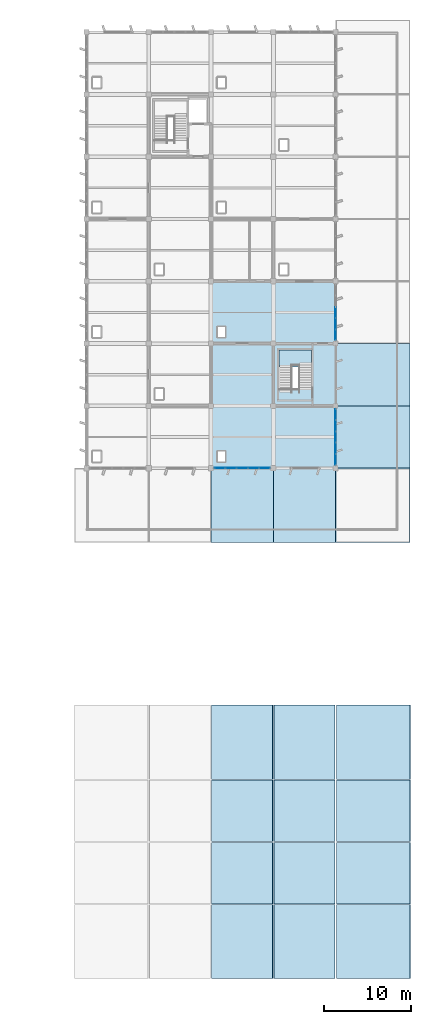
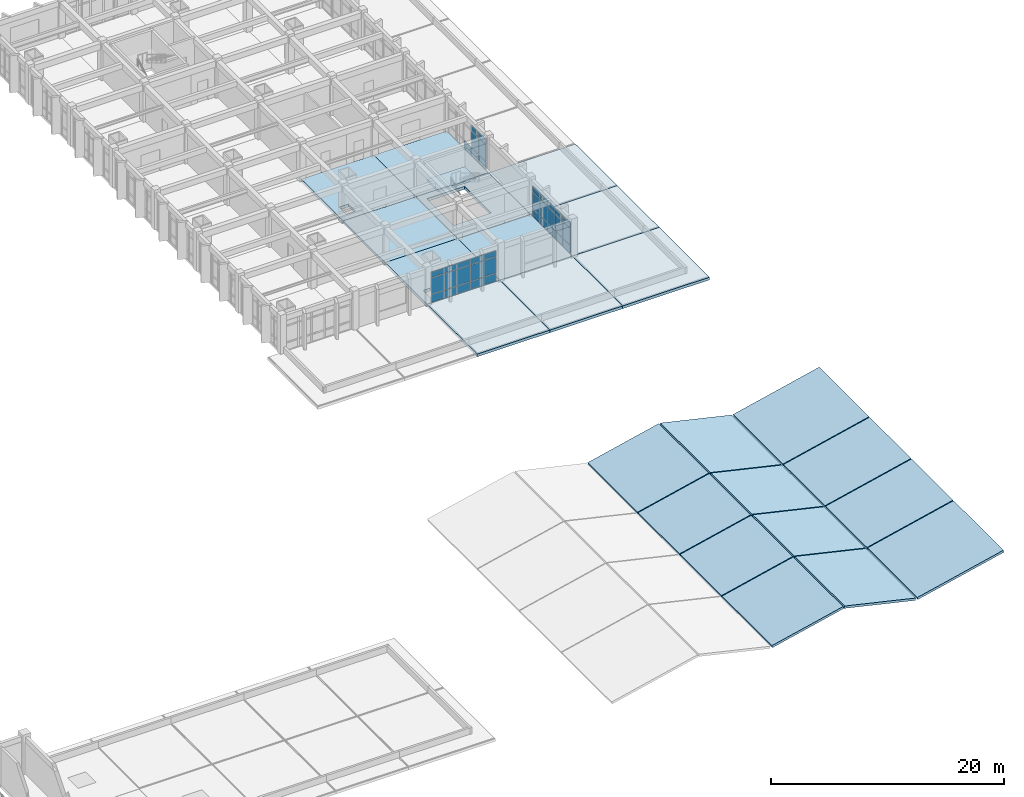
# One storey, part 42 of 62: 37 plates, 24 slabs, 4 elements without a shape of their own.
"""IFC4 building model written with IfcOpenShell, lengths in metres."""

from ifc_helpers import new_model, si_unit, direction, frame, origin, origin_2d, place, context, subcontext, project, spatial, polyline, rectangle, outline, extrude, material, layer, layer_set, type_object, element, aggregate, save


model = new_model("IFC4")

# Units and contexts
model_context = context("Model", 3, precision=1e-05, world=origin(), true_north=direction((0.0, 1.0)))
body_context = subcontext(model_context, "Body", "Model", "MODEL_VIEW")
ifc_project = project(units=[si_unit("LENGTHUNIT", "METRE"), si_unit("AREAUNIT", "SQUARE_METRE"), si_unit("VOLUMEUNIT", "CUBIC_METRE"), si_unit("PLANEANGLEUNIT", "RADIAN"), si_unit("MASSUNIT", "GRAM", prefix="KILO")], contexts=[model_context])

# Site, building, storey
site_placement = place(None, origin())
site = spatial("IfcSite", under=ifc_project, at=site_placement, CompositionType="ELEMENT")
building_placement = place(site_placement, origin())
building = spatial("IfcBuilding", under=site, at=building_placement, Name="Kavelor Marine Aquarium", CompositionType="ELEMENT")
storey_placement = place(building_placement, frame((0.0, 0.0, 13.5)))
storey = spatial("IfcBuildingStorey", under=building, at=storey_placement, Name="L03", CompositionType="ELEMENT", Elevation=13.5)

# Curtain wall, plates
ifc_material_1 = material(Name="Thermally Broken Aluminium and Low-E Glass", Category="aluminium")
ifc_layer_1 = layer(ifc_material_1, 0.2119140625)
ifc_layer_set_1 = layer_set([ifc_layer_1], Name="CW-SYS9")
curtain_wall_type_1 = type_object("IfcCurtainWallType", Name="CW-SYS9", PredefinedType="USERDEFINED", material=ifc_layer_set_1)
curtain_wall_1_placement = place(storey_placement, origin())
curtain_wall_1 = element("IfcCurtainWall", 1, at=curtain_wall_1_placement, inside=storey, type_object=curtain_wall_type_1, Name="cw:y:L03:20_08", ObjectType="Curtain Wall", PredefinedType="USERDEFINED")
ifc_material_2 = material(Name="Solar-Control Double Low-E Glazing", Category="glass")
ifc_layer_2 = layer(ifc_material_2, 0.0419921875)
ifc_layer_set_2 = layer_set([ifc_layer_2], Name="CWP-09")
plate_type_1 = type_object("IfcPlateType", Name="CWP-09", PredefinedType="CURTAIN_PANEL", material=ifc_layer_set_2)
plate_1_placement = place(storey_placement, frame((147.199951171875, 61.410888671875, 0.06494140625), z_axis=(0.0, 0.0, 1.0), x_axis=(0.0, 1.0, 0.0)))
plate_1 = element("IfcPlate", 2, at=plate_1_placement, type_object=plate_type_1, Name="CW09 panel 1.1", PredefinedType="CURTAIN_PANEL", context=body_context, shape_type="SweptSolid", body=[
    extrude(rectangle(XDim=1.2119140625, YDim=0.0419921875, at=origin_2d()), origin(), (0.0, 0.0, 1.0), 0.802490234375),
])
plate_2_placement = place(storey_placement, frame((147.199951171875, 61.410888671875, 0.932373046875), z_axis=(0.0, 0.0, 1.0), x_axis=(0.0, 1.0, 0.0)))
plate_2 = element("IfcPlate", 3, at=plate_2_placement, type_object=plate_type_1, Name="CW09 panel 1.2", PredefinedType="CURTAIN_PANEL", context=body_context, shape_type="SweptSolid", body=[
    extrude(rectangle(XDim=1.2119140625, YDim=0.0419921875, at=origin_2d()), origin(), (0.0, 0.0, 1.0), 1.68505859375),
])
plate_3_placement = place(storey_placement, frame((147.199951171875, 61.410888671875, 2.6826171875), z_axis=(0.0, 0.0, 1.0), x_axis=(0.0, 1.0, 0.0)))
plate_3 = element("IfcPlate", 4, at=plate_3_placement, type_object=plate_type_1, Name="CW09 panel 1.3", PredefinedType="CURTAIN_PANEL", context=body_context, shape_type="SweptSolid", body=[
    extrude(rectangle(XDim=1.2119140625, YDim=0.0419921875, at=origin_2d()), origin(), (0.0, 0.0, 1.0), 0.552490234375),
])
plate_4_placement = place(storey_placement, frame((147.199951171875, 62.697998046875, 0.06494140625), z_axis=(0.0, 0.0, 1.0), x_axis=(0.0, 1.0, 0.0)))
plate_4 = element("IfcPlate", 5, at=plate_4_placement, type_object=plate_type_1, Name="CW09 panel 2.1", PredefinedType="CURTAIN_PANEL", context=body_context, shape_type="SweptSolid", body=[
    extrude(rectangle(XDim=1.241943359375, YDim=0.0419921875, at=origin_2d()), origin(), (0.0, 0.0, 1.0), 0.802490234375),
])
plate_5_placement = place(storey_placement, frame((147.199951171875, 62.697998046875, 0.932373046875), z_axis=(0.0, 0.0, 1.0), x_axis=(0.0, 1.0, 0.0)))
plate_5 = element("IfcPlate", 6, at=plate_5_placement, type_object=plate_type_1, Name="CW09 panel 2.2", PredefinedType="CURTAIN_PANEL", context=body_context, shape_type="SweptSolid", body=[
    extrude(rectangle(XDim=1.241943359375, YDim=0.0419921875, at=origin_2d()), origin(), (0.0, 0.0, 1.0), 1.68505859375),
])
plate_6_placement = place(storey_placement, frame((147.199951171875, 62.697998046875, 2.6826171875), z_axis=(0.0, 0.0, 1.0), x_axis=(0.0, 1.0, 0.0)))
plate_6 = element("IfcPlate", 7, at=plate_6_placement, type_object=plate_type_1, Name="CW09 panel 2.3", PredefinedType="CURTAIN_PANEL", context=body_context, shape_type="SweptSolid", body=[
    extrude(rectangle(XDim=1.241943359375, YDim=0.0419921875, at=origin_2d()), origin(), (0.0, 0.0, 1.0), 0.552490234375),
])
plate_7_placement = place(storey_placement, frame((147.199951171875, 64.0, 0.06494140625), z_axis=(0.0, 0.0, 1.0), x_axis=(0.0, 1.0, 0.0)))
plate_7 = element("IfcPlate", 8, at=plate_7_placement, type_object=plate_type_1, Name="CW09 panel 3.1", PredefinedType="CURTAIN_PANEL", context=body_context, shape_type="SweptSolid", body=[
    extrude(rectangle(XDim=1.241943359375, YDim=0.0419921875, at=origin_2d()), origin(), (0.0, 0.0, 1.0), 0.802490234375),
])
plate_8_placement = place(storey_placement, frame((147.199951171875, 64.0, 0.932373046875), z_axis=(0.0, 0.0, 1.0), x_axis=(0.0, 1.0, 0.0)))
plate_8 = element("IfcPlate", 9, at=plate_8_placement, type_object=plate_type_1, Name="CW09 panel 3.2", PredefinedType="CURTAIN_PANEL", context=body_context, shape_type="SweptSolid", body=[
    extrude(rectangle(XDim=1.241943359375, YDim=0.0419921875, at=origin_2d()), origin(), (0.0, 0.0, 1.0), 1.68505859375),
])
plate_9_placement = place(storey_placement, frame((147.199951171875, 64.0, 2.6826171875), z_axis=(0.0, 0.0, 1.0), x_axis=(0.0, 1.0, 0.0)))
plate_9 = element("IfcPlate", 10, at=plate_9_placement, type_object=plate_type_1, Name="CW09 panel 3.3", PredefinedType="CURTAIN_PANEL", context=body_context, shape_type="SweptSolid", body=[
    extrude(rectangle(XDim=1.241943359375, YDim=0.0419921875, at=origin_2d()), origin(), (0.0, 0.0, 1.0), 0.552490234375),
])
plate_10_placement = place(storey_placement, frame((147.199951171875, 65.302001953125, 0.06494140625), z_axis=(0.0, 0.0, 1.0), x_axis=(0.0, 1.0, 0.0)))
plate_10 = element("IfcPlate", 11, at=plate_10_placement, type_object=plate_type_1, Name="CW09 panel 4.1", PredefinedType="CURTAIN_PANEL", context=body_context, shape_type="SweptSolid", body=[
    extrude(rectangle(XDim=1.241943359375, YDim=0.0419921875, at=origin_2d()), origin(), (0.0, 0.0, 1.0), 0.802490234375),
])
plate_11_placement = place(storey_placement, frame((147.199951171875, 65.302001953125, 0.932373046875), z_axis=(0.0, 0.0, 1.0), x_axis=(0.0, 1.0, 0.0)))
plate_11 = element("IfcPlate", 12, at=plate_11_placement, type_object=plate_type_1, Name="CW09 panel 4.2", PredefinedType="CURTAIN_PANEL", context=body_context, shape_type="SweptSolid", body=[
    extrude(rectangle(XDim=1.241943359375, YDim=0.0419921875, at=origin_2d()), origin(), (0.0, 0.0, 1.0), 1.68505859375),
])
plate_12_placement = place(storey_placement, frame((147.199951171875, 65.302001953125, 2.6826171875), z_axis=(0.0, 0.0, 1.0), x_axis=(0.0, 1.0, 0.0)))
plate_12 = element("IfcPlate", 13, at=plate_12_placement, type_object=plate_type_1, Name="CW09 panel 4.3", PredefinedType="CURTAIN_PANEL", context=body_context, shape_type="SweptSolid", body=[
    extrude(rectangle(XDim=1.241943359375, YDim=0.0419921875, at=origin_2d()), origin(), (0.0, 0.0, 1.0), 0.552490234375),
])
plate_13_placement = place(storey_placement, frame((147.199951171875, 66.589111328125, 0.06494140625), z_axis=(0.0, 0.0, 1.0), x_axis=(0.0, 1.0, 0.0)))
plate_13 = element("IfcPlate", 14, at=plate_13_placement, type_object=plate_type_1, Name="CW09 panel 5.1", PredefinedType="CURTAIN_PANEL", context=body_context, shape_type="SweptSolid", body=[
    extrude(rectangle(XDim=1.2119140625, YDim=0.0419921875, at=origin_2d()), origin(), (0.0, 0.0, 1.0), 0.802490234375),
])
plate_14_placement = place(storey_placement, frame((147.199951171875, 66.589111328125, 0.932373046875), z_axis=(0.0, 0.0, 1.0), x_axis=(0.0, 1.0, 0.0)))
plate_14 = element("IfcPlate", 15, at=plate_14_placement, type_object=plate_type_1, Name="CW09 panel 5.2", PredefinedType="CURTAIN_PANEL", context=body_context, shape_type="SweptSolid", body=[
    extrude(rectangle(XDim=1.2119140625, YDim=0.0419921875, at=origin_2d()), origin(), (0.0, 0.0, 1.0), 1.68505859375),
])
plate_15_placement = place(storey_placement, frame((147.199951171875, 66.589111328125, 2.6826171875), z_axis=(0.0, 0.0, 1.0), x_axis=(0.0, 1.0, 0.0)))
plate_15 = element("IfcPlate", 16, at=plate_15_placement, type_object=plate_type_1, Name="CW09 panel 5.3", PredefinedType="CURTAIN_PANEL", context=body_context, shape_type="SweptSolid", body=[
    extrude(rectangle(XDim=1.2119140625, YDim=0.0419921875, at=origin_2d()), origin(), (0.0, 0.0, 1.0), 0.552490234375),
])
aggregate(curtain_wall_1, [plate_1, plate_2, plate_3, plate_4, plate_5, plate_6, plate_7, plate_8, plate_9, plate_10, plate_11, plate_12, plate_13, plate_14, plate_15])

ifc_material_3 = material(Name="Thermally Broken Aluminium and Low-E Glass", Category="aluminium")
ifc_layer_3 = layer(ifc_material_3, 0.219970703125)
ifc_layer_set_3 = layer_set([ifc_layer_3], Name="CW-SYS10")
curtain_wall_type_2 = type_object("IfcCurtainWallType", Name="CW-SYS10", PredefinedType="USERDEFINED", material=ifc_layer_set_3)
curtain_wall_2_placement = place(storey_placement, origin())
curtain_wall_2 = element("IfcCurtainWall", 17, at=curtain_wall_2_placement, inside=storey, type_object=curtain_wall_type_2, Name="cw:y:L03:20_10", ObjectType="Curtain Wall", PredefinedType="USERDEFINED")
ifc_material_4 = material(Name="Solar-Control Double Low-E Glazing", Category="glass")
ifc_layer_4 = layer(ifc_material_4, 0.0439453125)
ifc_layer_set_4 = layer_set([ifc_layer_4], Name="CWP-10")
plate_type_2 = type_object("IfcPlateType", Name="CWP-10", PredefinedType="CURTAIN_PANEL", material=ifc_layer_set_4)
plate_16_placement = place(storey_placement, frame((147.199951171875, 75.814697265625, 0.06005859375), z_axis=(0.0, 0.0, 1.0), x_axis=(0.0, 1.0, 0.0)))
plate_16 = element("IfcPlate", 18, at=plate_16_placement, type_object=plate_type_2, Name="CW10 panel 1.1", PredefinedType="CURTAIN_PANEL", context=body_context, shape_type="SweptSolid", body=[
    extrude(rectangle(XDim=1.189453125, YDim=0.0439453125, at=origin_2d()), origin(), (0.0, 0.0, 1.0), 0.81005859375),
])
plate_17_placement = place(storey_placement, frame((147.199951171875, 75.814697265625, 0.929931640625), z_axis=(0.0, 0.0, 1.0), x_axis=(0.0, 1.0, 0.0)))
plate_17 = element("IfcPlate", 19, at=plate_17_placement, type_object=plate_type_2, Name="CW10 panel 1.2", PredefinedType="CURTAIN_PANEL", context=body_context, shape_type="SweptSolid", body=[
    extrude(rectangle(XDim=1.189453125, YDim=0.0439453125, at=origin_2d()), origin(), (0.0, 0.0, 1.0), 1.7099609375),
])
plate_18_placement = place(storey_placement, frame((147.199951171875, 75.814697265625, 2.699951171875), z_axis=(0.0, 0.0, 1.0), x_axis=(0.0, 1.0, 0.0)))
plate_18 = element("IfcPlate", 20, at=plate_18_placement, type_object=plate_type_2, Name="CW10 panel 1.3", PredefinedType="CURTAIN_PANEL", context=body_context, shape_type="SweptSolid", body=[
    extrude(rectangle(XDim=1.189453125, YDim=0.0439453125, at=origin_2d()), origin(), (0.0, 0.0, 1.0), 0.56005859375),
])
plate_19_placement = place(storey_placement, frame((147.199951171875, 77.097900390625, 0.06005859375), z_axis=(0.0, 0.0, 1.0), x_axis=(0.0, 1.0, 0.0)))
plate_19 = element("IfcPlate", 21, at=plate_19_placement, type_object=plate_type_2, Name="CW10 panel 2.1", PredefinedType="CURTAIN_PANEL", context=body_context, shape_type="SweptSolid", body=[
    extrude(rectangle(XDim=1.22705078125, YDim=0.0439453125, at=origin_2d()), origin(), (0.0, 0.0, 1.0), 0.81005859375),
])
plate_20_placement = place(storey_placement, frame((147.199951171875, 77.097900390625, 0.929931640625), z_axis=(0.0, 0.0, 1.0), x_axis=(0.0, 1.0, 0.0)))
plate_20 = element("IfcPlate", 22, at=plate_20_placement, type_object=plate_type_2, Name="CW10 panel 2.2", PredefinedType="CURTAIN_PANEL", context=body_context, shape_type="SweptSolid", body=[
    extrude(rectangle(XDim=1.22705078125, YDim=0.0439453125, at=origin_2d()), origin(), (0.0, 0.0, 1.0), 1.7099609375),
])
plate_21_placement = place(storey_placement, frame((147.199951171875, 77.097900390625, 2.699951171875), z_axis=(0.0, 0.0, 1.0), x_axis=(0.0, 1.0, 0.0)))
plate_21 = element("IfcPlate", 23, at=plate_21_placement, type_object=plate_type_2, Name="CW10 panel 2.3", PredefinedType="CURTAIN_PANEL", context=body_context, shape_type="SweptSolid", body=[
    extrude(rectangle(XDim=1.22705078125, YDim=0.0439453125, at=origin_2d()), origin(), (0.0, 0.0, 1.0), 0.56005859375),
])
plate_22_placement = place(storey_placement, frame((147.199951171875, 78.39990234375, 0.06005859375), z_axis=(0.0, 0.0, 1.0), x_axis=(0.0, 1.0, 0.0)))
plate_22 = element("IfcPlate", 24, at=plate_22_placement, type_object=plate_type_2, Name="CW10 panel 3.1", PredefinedType="CURTAIN_PANEL", context=body_context, shape_type="SweptSolid", body=[
    extrude(rectangle(XDim=1.22705078125, YDim=0.0439453125, at=origin_2d()), origin(), (0.0, 0.0, 1.0), 0.81005859375),
])
aggregate(curtain_wall_2, [plate_16, plate_17, plate_18, plate_19, plate_20, plate_21, plate_22])

curtain_wall_3_placement = place(storey_placement, origin())
curtain_wall_3 = element("IfcCurtainWall", 25, at=curtain_wall_3_placement, inside=storey, type_object=curtain_wall_type_1, Name="cw:x:L03:18_08", ObjectType="Curtain Wall", PredefinedType="USERDEFINED")
ifc_material_5 = material(Name="Solar-Control Double Low-E Glazing", Category="glass")
ifc_layer_5 = layer(ifc_material_5, 0.06591796875)
ifc_layer_set_5 = layer_set([ifc_layer_5], Name="CWP-21")
plate_type_3 = type_object("IfcPlateType", Name="CWP-21", PredefinedType="CURTAIN_PANEL", material=ifc_layer_set_5)
plate_23_placement = place(storey_placement, frame((138.989013671875, 60.39990234375, 0.06494140625), z_axis=(0.0, 0.0, 1.0), x_axis=(-1.0, 0.0, 0.0)))
plate_23 = element("IfcPlate", 26, at=plate_23_placement, type_object=plate_type_3, Name="CW09 panel 1.1", PredefinedType="CURTAIN_PANEL", context=body_context, shape_type="SweptSolid", body=[
    extrude(rectangle(XDim=1.2119140625, YDim=0.06591796875, at=origin_2d()), origin(), (0.0, 0.0, 1.0), 0.802490234375),
])
plate_24_placement = place(storey_placement, frame((138.989013671875, 60.39990234375, 0.932373046875), z_axis=(0.0, 0.0, 1.0), x_axis=(-1.0, 0.0, 0.0)))
plate_24 = element("IfcPlate", 27, at=plate_24_placement, type_object=plate_type_3, Name="CW09 panel 1.2", PredefinedType="CURTAIN_PANEL", context=body_context, shape_type="SweptSolid", body=[
    extrude(rectangle(XDim=1.2119140625, YDim=0.06591796875, at=origin_2d()), origin(), (0.0, 0.0, 1.0), 1.68505859375),
])
plate_25_placement = place(storey_placement, frame((138.989013671875, 60.39990234375, 2.6826171875), z_axis=(0.0, 0.0, 1.0), x_axis=(-1.0, 0.0, 0.0)))
plate_25 = element("IfcPlate", 28, at=plate_25_placement, type_object=plate_type_3, Name="CW09 panel 1.3", PredefinedType="CURTAIN_PANEL", context=body_context, shape_type="SweptSolid", body=[
    extrude(rectangle(XDim=1.2119140625, YDim=0.06591796875, at=origin_2d()), origin(), (0.0, 0.0, 1.0), 0.552490234375),
])
plate_26_placement = place(storey_placement, frame((137.701904296875, 60.39990234375, 0.06494140625), z_axis=(0.0, 0.0, 1.0), x_axis=(-1.0, 0.0, 0.0)))
plate_26 = element("IfcPlate", 29, at=plate_26_placement, type_object=plate_type_3, Name="CW09 panel 2.1", PredefinedType="CURTAIN_PANEL", context=body_context, shape_type="SweptSolid", body=[
    extrude(rectangle(XDim=1.241943359375, YDim=0.06591796875, at=origin_2d()), origin(), (0.0, 0.0, 1.0), 0.802490234375),
])
plate_27_placement = place(storey_placement, frame((137.701904296875, 60.39990234375, 0.932373046875), z_axis=(0.0, 0.0, 1.0), x_axis=(-1.0, 0.0, 0.0)))
plate_27 = element("IfcPlate", 30, at=plate_27_placement, type_object=plate_type_3, Name="CW09 panel 2.2", PredefinedType="CURTAIN_PANEL", context=body_context, shape_type="SweptSolid", body=[
    extrude(rectangle(XDim=1.241943359375, YDim=0.06591796875, at=origin_2d()), origin(), (0.0, 0.0, 1.0), 1.68505859375),
])
plate_28_placement = place(storey_placement, frame((137.701904296875, 60.39990234375, 2.6826171875), z_axis=(0.0, 0.0, 1.0), x_axis=(-1.0, 0.0, 0.0)))
plate_28 = element("IfcPlate", 31, at=plate_28_placement, type_object=plate_type_3, Name="CW09 panel 2.3", PredefinedType="CURTAIN_PANEL", context=body_context, shape_type="SweptSolid", body=[
    extrude(rectangle(XDim=1.241943359375, YDim=0.06591796875, at=origin_2d()), origin(), (0.0, 0.0, 1.0), 0.552490234375),
])
plate_29_placement = place(storey_placement, frame((136.39990234375, 60.39990234375, 0.06494140625), z_axis=(0.0, 0.0, 1.0), x_axis=(-1.0, 0.0, 0.0)))
plate_29 = element("IfcPlate", 32, at=plate_29_placement, type_object=plate_type_3, Name="CW09 panel 3.1", PredefinedType="CURTAIN_PANEL", context=body_context, shape_type="SweptSolid", body=[
    extrude(rectangle(XDim=1.241943359375, YDim=0.06591796875, at=origin_2d()), origin(), (0.0, 0.0, 1.0), 0.802490234375),
])
plate_30_placement = place(storey_placement, frame((136.39990234375, 60.39990234375, 0.932373046875), z_axis=(0.0, 0.0, 1.0), x_axis=(-1.0, 0.0, 0.0)))
plate_30 = element("IfcPlate", 33, at=plate_30_placement, type_object=plate_type_3, Name="CW09 panel 3.2", PredefinedType="CURTAIN_PANEL", context=body_context, shape_type="SweptSolid", body=[
    extrude(rectangle(XDim=1.241943359375, YDim=0.06591796875, at=origin_2d()), origin(), (0.0, 0.0, 1.0), 1.68505859375),
])
plate_31_placement = place(storey_placement, frame((136.39990234375, 60.39990234375, 2.6826171875), z_axis=(0.0, 0.0, 1.0), x_axis=(-1.0, 0.0, 0.0)))
plate_31 = element("IfcPlate", 34, at=plate_31_placement, type_object=plate_type_3, Name="CW09 panel 3.3", PredefinedType="CURTAIN_PANEL", context=body_context, shape_type="SweptSolid", body=[
    extrude(rectangle(XDim=1.241943359375, YDim=0.06591796875, at=origin_2d()), origin(), (0.0, 0.0, 1.0), 0.552490234375),
])
plate_32_placement = place(storey_placement, frame((135.097900390625, 60.39990234375, 0.06494140625), z_axis=(0.0, 0.0, 1.0), x_axis=(-1.0, 0.0, 0.0)))
plate_32 = element("IfcPlate", 35, at=plate_32_placement, type_object=plate_type_3, Name="CW09 panel 4.1", PredefinedType="CURTAIN_PANEL", context=body_context, shape_type="SweptSolid", body=[
    extrude(rectangle(XDim=1.241943359375, YDim=0.06591796875, at=origin_2d()), origin(), (0.0, 0.0, 1.0), 0.802490234375),
])
plate_33_placement = place(storey_placement, frame((135.097900390625, 60.39990234375, 0.932373046875), z_axis=(0.0, 0.0, 1.0), x_axis=(-1.0, 0.0, 0.0)))
plate_33 = element("IfcPlate", 36, at=plate_33_placement, type_object=plate_type_3, Name="CW09 panel 4.2", PredefinedType="CURTAIN_PANEL", context=body_context, shape_type="SweptSolid", body=[
    extrude(rectangle(XDim=1.241943359375, YDim=0.06591796875, at=origin_2d()), origin(), (0.0, 0.0, 1.0), 1.68505859375),
])
plate_34_placement = place(storey_placement, frame((135.097900390625, 60.39990234375, 2.6826171875), z_axis=(0.0, 0.0, 1.0), x_axis=(-1.0, 0.0, 0.0)))
plate_34 = element("IfcPlate", 37, at=plate_34_placement, type_object=plate_type_3, Name="CW09 panel 4.3", PredefinedType="CURTAIN_PANEL", context=body_context, shape_type="SweptSolid", body=[
    extrude(rectangle(XDim=1.241943359375, YDim=0.06591796875, at=origin_2d()), origin(), (0.0, 0.0, 1.0), 0.552490234375),
])
plate_35_placement = place(storey_placement, frame((133.81103515625, 60.39990234375, 0.06494140625), z_axis=(0.0, 0.0, 1.0), x_axis=(-1.0, 0.0, 0.0)))
plate_35 = element("IfcPlate", 38, at=plate_35_placement, type_object=plate_type_3, Name="CW09 panel 5.1", PredefinedType="CURTAIN_PANEL", context=body_context, shape_type="SweptSolid", body=[
    extrude(rectangle(XDim=1.2119140625, YDim=0.06591796875, at=origin_2d()), origin(), (0.0, 0.0, 1.0), 0.802490234375),
])
plate_36_placement = place(storey_placement, frame((133.81103515625, 60.39990234375, 0.932373046875), z_axis=(0.0, 0.0, 1.0), x_axis=(-1.0, 0.0, 0.0)))
plate_36 = element("IfcPlate", 39, at=plate_36_placement, type_object=plate_type_3, Name="CW09 panel 5.2", PredefinedType="CURTAIN_PANEL", context=body_context, shape_type="SweptSolid", body=[
    extrude(rectangle(XDim=1.2119140625, YDim=0.06591796875, at=origin_2d()), origin(), (0.0, 0.0, 1.0), 1.68505859375),
])
plate_37_placement = place(storey_placement, frame((133.81103515625, 60.39990234375, 2.6826171875), z_axis=(0.0, 0.0, 1.0), x_axis=(-1.0, 0.0, 0.0)))
plate_37 = element("IfcPlate", 40, at=plate_37_placement, type_object=plate_type_3, Name="CW09 panel 5.3", PredefinedType="CURTAIN_PANEL", context=body_context, shape_type="SweptSolid", body=[
    extrude(rectangle(XDim=1.2119140625, YDim=0.06591796875, at=origin_2d()), origin(), (0.0, 0.0, 1.0), 0.552490234375),
])
aggregate(curtain_wall_3, [plate_23, plate_24, plate_25, plate_26, plate_27, plate_28, plate_29, plate_30, plate_31, plate_32, plate_33, plate_34, plate_35, plate_36, plate_37])

# Stair, slab
ifc_material_6 = material(Name="Concrete C40/50", Category="concrete")
stair_type = type_object("IfcStairType", Name="ST-T4", PredefinedType="HALF_TURN_STAIR", material=ifc_material_6)
stair_placement = place(storey_placement, origin())
stair = element("IfcStair", 41, at=stair_placement, inside=storey, type_object=stair_type, Name="Exit Stair ST11 (L03)", PredefinedType="HALF_TURN_STAIR")
ifc_material_7 = material(Name="Concrete C40/50", Category="concrete")
ifc_layer_6 = layer(ifc_material_7, 0.199951171875)
ifc_layer_set_6 = layer_set([ifc_layer_6], Name="LND-T4")
slab_type_1 = type_object("IfcSlabType", Name="LND-T4", PredefinedType="LANDING", material=ifc_layer_set_6)
slab_1_placement = place(storey_placement, frame((0.0, 0.0, 1.8701171875)))
slab_1 = element("IfcSlab", 42, at=slab_1_placement, type_object=slab_type_1, Name="ST11 landing 1", PredefinedType="LANDING", context=body_context, shape_type="SweptSolid", body=[
    extrude(outline(polyline([(140.659912109375, 72.114990234375), (144.419921875, 72.114990234375), (144.419921875, 74.06005859375), (140.659912109375, 74.06005859375), (140.659912109375, 72.114990234375)])), origin(), (0.0, 0.0, 1.0), 0.199951171875),
])
aggregate(stair, [slab_1])

# Slabs
ifc_material_8 = material(Name="Concrete C40/50", Category="concrete")
ifc_layer_7 = layer(ifc_material_8, 0.300048828125)
ifc_layer_set_7 = layer_set([ifc_layer_7], Name="SL-FL1")
slab_type_2 = type_object("IfcSlabType", Name="SL-FL1", PredefinedType="FLOOR", material=ifc_layer_set_7)
slab_2_placement = place(storey_placement, frame((0.0, 0.0, -0.300048828125)))
element("IfcSlab", 43, at=slab_2_placement, inside=storey, type_object=slab_type_2, Name="slab:L03:18_08", PredefinedType="FLOOR", context=body_context, shape_type="SweptSolid", body=[
    extrude(outline(polyline([(132.800048828125, 60.39990234375), (140.0, 60.39990234375), (140.0, 67.60009765625), (132.800048828125, 67.60009765625), (132.800048828125, 60.39990234375)]), holes=[polyline([(133.550048828125, 61.14990234375), (134.449951171875, 61.14990234375), (134.449951171875, 62.35009765625), (133.550048828125, 62.35009765625), (133.550048828125, 61.14990234375)])]), origin(), (0.0, 0.0, 1.0), 0.300048828125),
])
slab_3_placement = place(storey_placement, frame((0.0, 0.0, -0.300048828125)))
element("IfcSlab", 44, at=slab_3_placement, inside=storey, type_object=slab_type_2, Name="slab:L03:18_10", PredefinedType="FLOOR", context=body_context, shape_type="SweptSolid", body=[
    extrude(outline(polyline([(132.800048828125, 74.800048828125), (140.0, 74.800048828125), (140.0, 82.0), (132.800048828125, 82.0), (132.800048828125, 74.800048828125)]), holes=[polyline([(133.550048828125, 75.550048828125), (134.449951171875, 75.550048828125), (134.449951171875, 76.75), (133.550048828125, 76.75), (133.550048828125, 75.550048828125)])]), origin(), (0.0, 0.0, 1.0), 0.300048828125),
])
slab_4_placement = place(storey_placement, frame((0.0, 0.0, -0.300048828125)))
element("IfcSlab", 45, at=slab_4_placement, inside=storey, type_object=slab_type_2, Name="slab:L03:19_09", PredefinedType="FLOOR", context=body_context, shape_type="SweptSolid", body=[
    extrude(outline(polyline([(140.0, 67.60009765625), (147.199951171875, 67.60009765625), (147.199951171875, 74.800048828125), (140.0, 74.800048828125), (140.0, 67.60009765625)]), holes=[polyline([(140.679931640625, 69.48291015625), (144.39990234375, 69.48291015625), (144.39990234375, 74.070068359375), (140.679931640625, 74.070068359375), (140.679931640625, 69.48291015625)])]), origin(), (0.0, 0.0, 1.0), 0.300048828125),
])
ifc_material_9 = material(Name="Concrete C40/50", Category="concrete")
ifc_layer_8 = layer(ifc_material_9, 0.280029296875)
ifc_layer_set_8 = layer_set([ifc_layer_8], Name="SL-FL2")
slab_type_3 = type_object("IfcSlabType", Name="SL-FL2", PredefinedType="FLOOR", material=ifc_layer_set_8)
slab_5_placement = place(storey_placement, frame((0.0, 0.0, -0.280029296875)))
element("IfcSlab", 46, at=slab_5_placement, inside=storey, type_object=slab_type_3, Name="slab:L03:18_09", PredefinedType="FLOOR", context=body_context, shape_type="SweptSolid", body=[
    extrude(outline(polyline([(132.800048828125, 67.60009765625), (140.0, 67.60009765625), (140.0, 74.800048828125), (132.800048828125, 74.800048828125), (132.800048828125, 67.60009765625)])), origin(), (0.0, 0.0, 1.0), 0.280029296875),
])
slab_6_placement = place(storey_placement, frame((0.0, 0.0, -0.280029296875)))
element("IfcSlab", 47, at=slab_6_placement, inside=storey, type_object=slab_type_3, Name="slab:L03:19_08", PredefinedType="FLOOR", context=body_context, shape_type="SweptSolid", body=[
    extrude(outline(polyline([(140.0, 60.39990234375), (147.199951171875, 60.39990234375), (147.199951171875, 67.60009765625), (140.0, 67.60009765625), (140.0, 60.39990234375)])), origin(), (0.0, 0.0, 1.0), 0.280029296875),
])
slab_7_placement = place(storey_placement, frame((0.0, 0.0, -0.280029296875)))
element("IfcSlab", 48, at=slab_7_placement, inside=storey, type_object=slab_type_3, Name="slab:L03:19_10", PredefinedType="FLOOR", context=body_context, shape_type="SweptSolid", body=[
    extrude(outline(polyline([(140.0, 74.800048828125), (147.199951171875, 74.800048828125), (147.199951171875, 82.0), (140.0, 82.0), (140.0, 74.800048828125)])), origin(), (0.0, 0.0, 1.0), 0.280029296875),
])
ifc_material_10 = material(Name="Concrete C40/50", Category="concrete")
ifc_layer_9 = layer(ifc_material_10, 0.280029296875)
ifc_layer_set_9 = layer_set([ifc_layer_9], Name="SL-RF1")
slab_type_4 = type_object("IfcSlabType", Name="SL-RF1", PredefinedType="ROOF", material=ifc_layer_set_9)
slab_8_placement = place(storey_placement, frame((0.0, 0.0, -0.280029296875)))
element("IfcSlab", 49, at=slab_8_placement, inside=storey, type_object=slab_type_4, Name="roof:L03:18_07", PredefinedType="ROOF", context=body_context, shape_type="SweptSolid", body=[
    extrude(outline(polyline([(132.800048828125, 51.800048828125), (140.0, 51.800048828125), (140.0, 60.39990234375), (132.800048828125, 60.39990234375), (132.800048828125, 51.800048828125)])), origin(), (0.0, 0.0, 1.0), 0.280029296875),
])
slab_9_placement = place(storey_placement, frame((0.0, 0.0, -0.280029296875)))
element("IfcSlab", 50, at=slab_9_placement, inside=storey, type_object=slab_type_4, Name="roof:L03:19_07", PredefinedType="ROOF", context=body_context, shape_type="SweptSolid", body=[
    extrude(outline(polyline([(140.0, 51.800048828125), (147.199951171875, 51.800048828125), (147.199951171875, 60.39990234375), (140.0, 60.39990234375), (140.0, 51.800048828125)])), origin(), (0.0, 0.0, 1.0), 0.280029296875),
])
slab_10_placement = place(storey_placement, frame((0.0, 0.0, -0.280029296875)))
element("IfcSlab", 51, at=slab_10_placement, inside=storey, type_object=slab_type_4, Name="roof:L03:20_07", PredefinedType="ROOF", context=body_context, shape_type="SweptSolid", body=[
    extrude(outline(polyline([(147.199951171875, 51.800048828125), (155.800048828125, 51.800048828125), (155.800048828125, 60.39990234375), (147.199951171875, 60.39990234375), (147.199951171875, 51.800048828125)])), origin(), (0.0, 0.0, 1.0), 0.280029296875),
])
slab_11_placement = place(storey_placement, frame((0.0, 0.0, -0.280029296875)))
element("IfcSlab", 52, at=slab_11_placement, inside=storey, type_object=slab_type_4, Name="roof:L03:20_08", PredefinedType="ROOF", context=body_context, shape_type="SweptSolid", body=[
    extrude(outline(polyline([(147.199951171875, 60.39990234375), (155.800048828125, 60.39990234375), (155.800048828125, 67.60009765625), (147.199951171875, 67.60009765625), (147.199951171875, 60.39990234375)])), origin(), (0.0, 0.0, 1.0), 0.280029296875),
])
slab_12_placement = place(storey_placement, frame((0.0, 0.0, -0.280029296875)))
element("IfcSlab", 53, at=slab_12_placement, inside=storey, type_object=slab_type_4, Name="roof:L03:20_09", PredefinedType="ROOF", context=body_context, shape_type="SweptSolid", body=[
    extrude(outline(polyline([(147.199951171875, 67.60009765625), (155.800048828125, 67.60009765625), (155.800048828125, 74.800048828125), (147.199951171875, 74.800048828125), (147.199951171875, 67.60009765625)])), origin(), (0.0, 0.0, 1.0), 0.280029296875),
])
ifc_material_11 = material(Name="Concrete C40/50", Category="concrete")
ifc_layer_10 = layer(ifc_material_11, 0.239990234375)
ifc_layer_set_10 = layer_set([ifc_layer_10], Name="SL-RF2")
slab_type_5 = type_object("IfcSlabType", Name="SL-RF2", PredefinedType="ROOF", material=ifc_layer_set_10)
slab_13_placement = place(storey_placement, frame((132.875, 1.39990234375, 0.017333984375), z_axis=(-0.224958077755, 0.0, 0.974368443276), x_axis=(0.974368443276, 0.0, 0.224958077755)))
element("IfcSlab", 54, at=slab_13_placement, inside=storey, type_object=slab_type_5, Name="roof:L03:18_00", PredefinedType="ROOF", context=body_context, shape_type="SweptSolid", body=[
    extrude(outline(polyline([(0.0, 0.0), (7.235506113497, 0.0), (7.235506113497, 8.560058593750002), (0.0, 8.560058593750002), (0.0, 0.0)])), origin(), (0.0, 0.0, -1.0), 0.239990234375),
])
slab_14_placement = place(storey_placement, frame((132.875, 10.0400390625, 0.017333984375), z_axis=(-0.224958077755, 0.0, 0.974368443276), x_axis=(0.974368443276, 0.0, 0.224958077755)))
element("IfcSlab", 55, at=slab_14_placement, inside=storey, type_object=slab_type_5, Name="roof:L03:18_01", PredefinedType="ROOF", context=body_context, shape_type="SweptSolid", body=[
    extrude(outline(polyline([(0.0, 0.0), (7.235506113497, 0.0), (7.235506113497, 7.119873046875), (0.0, 7.119873046875), (0.0, 0.0)])), origin(), (0.0, 0.0, -1.0), 0.239990234375),
])
slab_15_placement = place(storey_placement, frame((132.875, 17.239990234375, 0.017333984375), z_axis=(-0.224958077755, 0.0, 0.974368443276), x_axis=(0.974368443276, 0.0, 0.224958077755)))
element("IfcSlab", 56, at=slab_15_placement, inside=storey, type_object=slab_type_5, Name="roof:L03:18_02", PredefinedType="ROOF", context=body_context, shape_type="SweptSolid", body=[
    extrude(outline(polyline([(0.0, 0.0), (7.235506113497, 0.0), (7.235506113497, 7.1201171875), (0.0, 7.1201171875), (0.0, 0.0)])), origin(), (0.0, 0.0, -1.0), 0.239990234375),
])
for number, where, z_axis, x_axis, name in (
    (57, (132.875, 24.43994140625, 0.017333984375), (-0.224958077755, 0.0, 0.974368443276), (0.974368443276, 0.0, 0.224958077755), "roof:L03:18_03"),
    (58, (140.074951171875, 1.39990234375, 1.64501953125), (0.224958077755, 0.0, 0.974368443276), (0.974368443276, 0.0, -0.224958077755), "roof:L03:19_00"),
):
    element("IfcSlab", number, at=place(storey_placement, frame(where, z_axis=z_axis, x_axis=x_axis)), inside=storey, type_object=slab_type_5, Name=name, PredefinedType="ROOF", context=body_context, shape_type="SweptSolid", body=[
        extrude(outline(polyline([(0.0, 0.0), (7.235506113497, 0.0), (7.235506113497, 8.560058593750002), (0.0, 8.560058593750002), (0.0, 0.0)])), origin(), (0.0, 0.0, -1.0), 0.239990234375),
    ])
slab_16_placement = place(storey_placement, frame((140.074951171875, 10.0400390625, 1.64501953125), z_axis=(0.224958077755, 0.0, 0.974368443276), x_axis=(0.974368443276, 0.0, -0.224958077755)))
element("IfcSlab", 59, at=slab_16_placement, inside=storey, type_object=slab_type_5, Name="roof:L03:19_01", PredefinedType="ROOF", context=body_context, shape_type="SweptSolid", body=[
    extrude(outline(polyline([(0.0, 0.0), (7.235506113497, 0.0), (7.235506113497, 7.119873046875), (0.0, 7.119873046875), (0.0, 0.0)])), origin(), (0.0, 0.0, -1.0), 0.239990234375),
])
slab_17_placement = place(storey_placement, frame((140.074951171875, 17.239990234375, 1.64501953125), z_axis=(0.224958077755, 0.0, 0.974368443276), x_axis=(0.974368443276, 0.0, -0.224958077755)))
element("IfcSlab", 60, at=slab_17_placement, inside=storey, type_object=slab_type_5, Name="roof:L03:19_02", PredefinedType="ROOF", context=body_context, shape_type="SweptSolid", body=[
    extrude(outline(polyline([(0.0, 0.0), (7.235506113497, 0.0), (7.235506113497, 7.1201171875), (0.0, 7.1201171875), (0.0, 0.0)])), origin(), (0.0, 0.0, -1.0), 0.239990234375),
])
slab_18_placement = place(storey_placement, frame((140.074951171875, 24.43994140625, 1.64501953125), z_axis=(0.224958077755, 0.0, 0.974368443276), x_axis=(0.974368443276, 0.0, -0.224958077755)))
element("IfcSlab", 61, at=slab_18_placement, inside=storey, type_object=slab_type_5, Name="roof:L03:19_03", PredefinedType="ROOF", context=body_context, shape_type="SweptSolid", body=[
    extrude(outline(polyline([(0.0, 0.0), (7.235506113497, 0.0), (7.235506113497, 8.560058593750002), (0.0, 8.560058593750002), (0.0, 0.0)])), origin(), (0.0, 0.0, -1.0), 0.239990234375),
])
slab_19_placement = place(storey_placement, frame((147.27490234375, 1.39990234375, 0.017333984375), z_axis=(-0.224932871219, 0.0, 0.974374262512), x_axis=(0.974374262512, 0.0, 0.224932871219)))
element("IfcSlab", 62, at=slab_19_placement, inside=storey, type_object=slab_type_5, Name="roof:L03:20_00", PredefinedType="ROOF", context=body_context, shape_type="SweptSolid", body=[
    extrude(outline(polyline([(0.0, 0.0), (8.749355162974036, 0.0), (8.749355162974036, 8.56005859375), (0.0, 8.56005859375), (0.0, 0.0)])), origin(), (0.0, 0.0, -1.0), 0.239990234375),
])
slab_20_placement = place(storey_placement, frame((147.27490234375, 10.0400390625, 0.017333984375), z_axis=(-0.224932871219, 0.0, 0.974374262512), x_axis=(0.974374262512, 0.0, 0.224932871219)))
element("IfcSlab", 63, at=slab_20_placement, inside=storey, type_object=slab_type_5, Name="roof:L03:20_01", PredefinedType="ROOF", context=body_context, shape_type="SweptSolid", body=[
    extrude(outline(polyline([(0.0, 0.0), (8.749355162974036, 0.0), (8.749355162974036, 7.119873046875), (0.0, 7.119873046875), (0.0, 0.0)])), origin(), (0.0, 0.0, -1.0), 0.239990234375),
])
slab_21_placement = place(storey_placement, frame((147.27490234375, 17.239990234375, 0.017333984375), z_axis=(-0.224932871219, 0.0, 0.974374262512), x_axis=(0.974374262512, 0.0, 0.224932871219)))
element("IfcSlab", 64, at=slab_21_placement, inside=storey, type_object=slab_type_5, Name="roof:L03:20_02", PredefinedType="ROOF", context=body_context, shape_type="SweptSolid", body=[
    extrude(outline(polyline([(0.0, 0.0), (8.749355162974036, 0.0), (8.749355162974036, 7.1201171875), (0.0, 7.1201171875), (0.0, 0.0)])), origin(), (0.0, 0.0, -1.0), 0.239990234375),
])
slab_22_placement = place(storey_placement, frame((147.27490234375, 24.43994140625, 0.017333984375), z_axis=(-0.224932871219, 0.0, 0.974374262512), x_axis=(0.974374262512, 0.0, 0.224932871219)))
element("IfcSlab", 65, at=slab_22_placement, inside=storey, type_object=slab_type_5, Name="roof:L03:20_03", PredefinedType="ROOF", context=body_context, shape_type="SweptSolid", body=[
    extrude(outline(polyline([(0.0, 0.0), (8.749355162974036, 0.0), (8.749355162974036, 8.56005859375), (0.0, 8.56005859375), (0.0, 0.0)])), origin(), (0.0, 0.0, -1.0), 0.239990234375),
])

save(model, "model.ifc")
